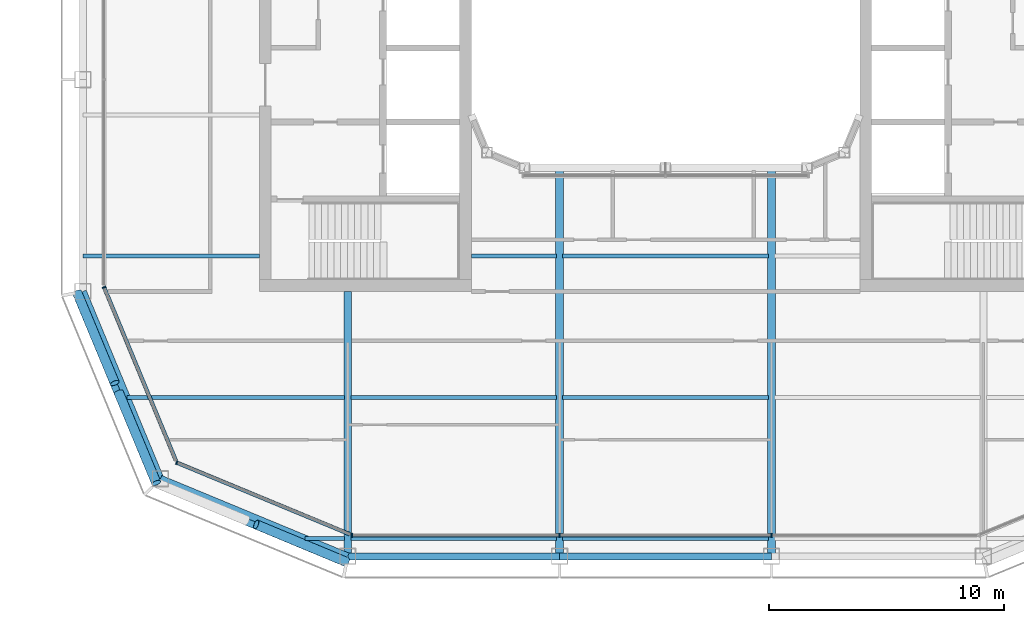
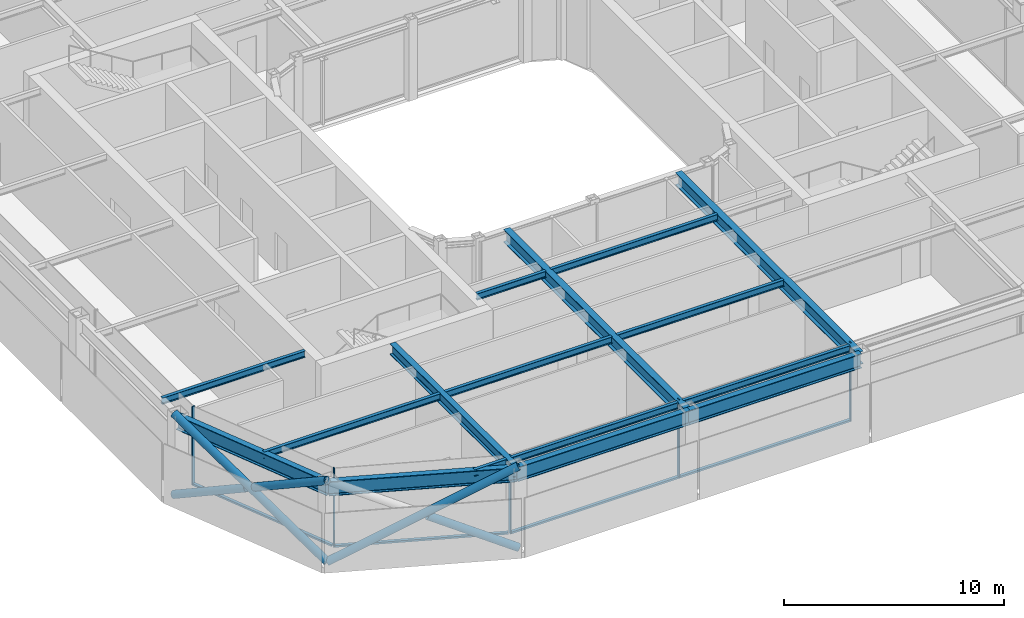
# One storey, part 3 of 22: 16 beams, 14 members, 3 elements without a shape of their own.
"""IFC4 building model written with IfcOpenShell, lengths in metres."""

from ifc_helpers import new_model, si_unit, direction, frame, origin, origin_2d, place, context, subcontext, project, spatial, rectangle, hollow_circle, i_section, extrude, material, layer, layer_set, material_profile, profile_set, type_object, element, aggregate, save


model = new_model("IFC4")

# Units and contexts
model_context = context("Model", 3, precision=1e-05, world=origin(), true_north=direction((0.0, 1.0)))
body_context = subcontext(model_context, "Body", "Model", "MODEL_VIEW")
ifc_project = project(units=[si_unit("LENGTHUNIT", "METRE"), si_unit("AREAUNIT", "SQUARE_METRE"), si_unit("VOLUMEUNIT", "CUBIC_METRE"), si_unit("PLANEANGLEUNIT", "RADIAN"), si_unit("MASSUNIT", "GRAM", prefix="KILO")], contexts=[model_context])

# Site, building, storey
site_placement = place(None, origin())
site = spatial("IfcSite", under=ifc_project, at=site_placement, CompositionType="ELEMENT")
building_placement = place(site_placement, origin())
building = spatial("IfcBuilding", under=site, at=building_placement, Name="Siwar Civic Tower", CompositionType="ELEMENT")
storey_placement = place(building_placement, frame((0.0, 0.0, 330.199951171875)))
storey = spatial("IfcBuildingStorey", under=building, at=storey_placement, Name="L71", CompositionType="ELEMENT", Elevation=330.199951171875)

# Curtain wall, members
ifc_material_1 = material(Name="Aluminium and glass", Category="aluminium")
ifc_layer_1 = layer(ifc_material_1, 0.159912109375)
ifc_layer_set_1 = layer_set([ifc_layer_1], Name="Aluminium and glass")
curtain_wall_type_1 = type_object("IfcCurtainWallType", Name="ENV-CW-D", PredefinedType="NOTDEFINED", material=ifc_layer_set_1)
curtain_wall_1_placement = place(storey_placement, origin())
curtain_wall_1 = element("IfcCurtainWall", 1, at=curtain_wall_1_placement, inside=storey, type_object=curtain_wall_type_1, Name="Curtain wall D S", PredefinedType="NOTDEFINED")
ifc_material_2 = material(Name="Aluminium 6063-T6", Category="aluminium")
ifc_material_profile_1 = material_profile(ifc_material_2, rectangle(XDim=0.159912109375, YDim=0.06005859375, at=origin_2d()), Name="AL 160x60")
ifc_profile_set_1 = profile_set([ifc_material_profile_1], Name="Aluminium 6063-T6")
member_type_1 = type_object("IfcMemberType", Name="ENV-MULLION-D", PredefinedType="MULLION", material=ifc_profile_set_1)
member_1_placement = place(storey_placement, frame((-13.321044921875, -23.85009765625, 0.0), z_axis=(0.0, 0.0, 1.0), x_axis=(0.0, 1.0, 0.0)))
member_1 = element("IfcMember", 2, at=member_1_placement, type_object=member_type_1, Name="Mullion D S 1", PredefinedType="MULLION", context=body_context, shape_type="SweptSolid", body=[
    extrude(rectangle(XDim=0.159912109375, YDim=0.06005859375, at=origin_2d()), origin(), (0.0, 0.0, 1.0), 4.35009765625),
])
member_2_placement = place(storey_placement, frame((-4.5, -23.85009765625, 0.0), z_axis=(0.0, 0.0, 1.0), x_axis=(0.0, 1.0, 0.0)))
member_2 = element("IfcMember", 3, at=member_2_placement, type_object=member_type_1, Name="Mullion D S 2", PredefinedType="MULLION", context=body_context, shape_type="SweptSolid", body=[
    extrude(rectangle(XDim=0.159912109375, YDim=0.06005859375, at=origin_2d()), origin(), (0.0, 0.0, 1.0), 4.35009765625),
])
member_3_placement = place(storey_placement, frame((4.5, -23.85009765625, 0.0), z_axis=(0.0, 0.0, 1.0), x_axis=(0.0, 1.0, 0.0)))
member_3 = element("IfcMember", 4, at=member_3_placement, type_object=member_type_1, Name="Mullion D S 3", PredefinedType="MULLION", context=body_context, shape_type="SweptSolid", body=[
    extrude(rectangle(XDim=0.159912109375, YDim=0.06005859375, at=origin_2d()), origin(), (0.0, 0.0, 1.0), 4.35009765625),
])

# Curtain wall, member
ifc_material_3 = material(Name="Aluminium clad insulated panel", Category="aluminium")
ifc_layer_2 = layer(ifc_material_3, 0.159912109375)
ifc_layer_set_2 = layer_set([ifc_layer_2], Name="Aluminium clad insulated panel")
curtain_wall_type_2 = type_object("IfcCurtainWallType", Name="ENV-CW-DX", PredefinedType="NOTDEFINED", material=ifc_layer_set_2)
curtain_wall_2_placement = place(storey_placement, origin())
curtain_wall_2 = element("IfcCurtainWall", 5, at=curtain_wall_2_placement, inside=storey, type_object=curtain_wall_type_2, Name="Curtain wall D SW1", PredefinedType="NOTDEFINED")
member_4_placement = place(storey_placement, frame((-23.85009765625, -13.321044921875, 0.0), z_axis=(0.0, 0.0, 1.0), x_axis=(0.923879532511, 0.382683432365, 0.0)))
member_4 = element("IfcMember", 6, at=member_4_placement, type_object=member_type_1, Name="Mullion D SW1 1", PredefinedType="MULLION", context=body_context, shape_type="SweptSolid", body=[
    extrude(rectangle(XDim=0.159912109375, YDim=0.06005859375, at=origin_2d()), origin(), (0.0, 0.0, 1.0), 4.35009765625),
])

curtain_wall_3_placement = place(storey_placement, origin())
curtain_wall_3 = element("IfcCurtainWall", 7, at=curtain_wall_3_placement, inside=storey, type_object=curtain_wall_type_2, Name="Curtain wall D SW2", PredefinedType="NOTDEFINED")
member_5_placement = place(storey_placement, frame((-20.76611328125, -20.76611328125, 0.0), z_axis=(0.0, 0.0, 1.0), x_axis=(0.382683432365, 0.923879532511, 0.0)))
member_5 = element("IfcMember", 8, at=member_5_placement, type_object=member_type_1, Name="Mullion D SW2 1", PredefinedType="MULLION", context=body_context, shape_type="SweptSolid", body=[
    extrude(rectangle(XDim=0.159912109375, YDim=0.06005859375, at=origin_2d()), origin(), (0.0, 0.0, 1.0), 4.35009765625),
])

# Member
ifc_material_4 = material(Name="Aluminium 6063-T6", Category="aluminium")
ifc_material_profile_2 = material_profile(ifc_material_4, rectangle(XDim=0.159912109375, YDim=0.10009765625, at=origin_2d()), Name="AL 160x100")
ifc_profile_set_2 = profile_set([ifc_material_profile_2], Name="Aluminium 6063-T6")
member_type_2 = type_object("IfcMemberType", Name="ENV-TRANSOM-D", PredefinedType="USERDEFINED", material=ifc_profile_set_2)
member_6_placement = place(storey_placement, frame((-13.291015625, -23.85009765625, 0.050048828125), z_axis=(1.0, 0.0, 0.0), x_axis=(0.0, 1.0, 0.0)))
member_6 = element("IfcMember", 9, at=member_6_placement, type_object=member_type_2, Name="Transom D S 1", ObjectType="TRANSOM", PredefinedType="USERDEFINED", context=body_context, shape_type="SweptSolid", body=[
    extrude(rectangle(XDim=0.159912109375, YDim=0.10009765625, at=origin_2d()), origin(), (0.0, 0.0, 1.0), 8.760986328125),
])

member_7_placement = place(storey_placement, frame((-4.469970703125, -23.85009765625, 0.050048828125), z_axis=(1.0, 0.0, 0.0), x_axis=(0.0, 1.0, 0.0)))
member_7 = element("IfcMember", 10, at=member_7_placement, type_object=member_type_2, Name="Transom D S 2", ObjectType="TRANSOM", PredefinedType="USERDEFINED", context=body_context, shape_type="SweptSolid", body=[
    extrude(rectangle(XDim=0.159912109375, YDim=0.10009765625, at=origin_2d()), origin(), (0.0, 0.0, 1.0), 8.93994140625),
])

aggregate(curtain_wall_1, [member_1, member_2, member_3, member_6, member_7])

member_8_placement = place(storey_placement, frame((-23.838623046875, -13.3486328125, 0.050048828125), z_axis=(0.382699790424, -0.923872756612, 0.0), x_axis=(0.923872756612, 0.382699790424, 0.0)))
member_8 = element("IfcMember", 11, at=member_8_placement, type_object=member_type_2, Name="Transom D SW1 1", ObjectType="TRANSOM", PredefinedType="USERDEFINED", context=body_context, shape_type="SweptSolid", body=[
    extrude(rectangle(XDim=0.159912109375, YDim=0.10009765625, at=origin_2d()), origin(), (0.0, 0.0, 1.0), 7.930908203125),
])

aggregate(curtain_wall_2, [member_4, member_8])

member_9_placement = place(storey_placement, frame((-20.738525390625, -20.777587890625, 0.050048828125), z_axis=(0.923883640343, -0.382673515031, 0.0), x_axis=(0.382673515031, 0.923883640343, 0.0)))
member_9 = element("IfcMember", 12, at=member_9_placement, type_object=member_type_2, Name="Transom D SW2 1", ObjectType="TRANSOM", PredefinedType="USERDEFINED", context=body_context, shape_type="SweptSolid", body=[
    extrude(rectangle(XDim=0.159912109375, YDim=0.10009765625, at=origin_2d()), origin(), (0.0, 0.0, 1.0), 7.930908203125),
])

aggregate(curtain_wall_3, [member_5, member_9])

# Members
ifc_material_5 = material(Name="Steel S355", Category="steel")
ifc_material_profile_3 = material_profile(ifc_material_5, hollow_circle(Radius=0.203125, WallThickness=0.01611328125, at=origin_2d()), Name="CHS406.4x16")
ifc_profile_set_3 = profile_set([ifc_material_profile_3], Name="Steel S355")
member_type_3 = type_object("IfcMemberType", Name="STR-BR-CHS406.4x16", PredefinedType="BRACE", material=ifc_profile_set_3)
member_10_placement = place(storey_placement, frame((-21.6318359375, -21.6318359375, 0.0), z_axis=(0.821142553604, -0.341671493852, 0.457149315816), x_axis=(0.384163874976, 0.923264922524, 0.0)))
element("IfcMember", 13, at=member_10_placement, inside=storey, type_object=member_type_3, Name="L71/brc/DSW1-10-0-1", PredefinedType="BRACE", context=body_context, shape_type="SweptSolid", body=[
    extrude(hollow_circle(Radius=0.203125, WallThickness=0.01611328125, at=origin_2d()), origin(), (0.0, 0.0, 1.0), 9.843505859375),
])
member_11_placement = place(storey_placement, frame((-13.548828125, -24.9951171875, 0.0), z_axis=(-0.821130093572, 0.341659024948, 0.45718101459), x_axis=(-0.384156893273, -0.923267827529, 0.0)))
element("IfcMember", 14, at=member_11_placement, inside=storey, type_object=member_type_3, Name="L71/brc/DSW1-10-0-2", PredefinedType="BRACE", context=body_context, shape_type="SweptSolid", body=[
    extrude(hollow_circle(Radius=0.203125, WallThickness=0.01611328125, at=origin_2d()), origin(), (0.0, 0.0, 1.0), 4.677001953125),
])
member_12_placement = place(storey_placement, frame((-21.6318359375, -21.6318359375, 0.0), z_axis=(-0.341671493852, 0.821142553604, 0.457149315816), x_axis=(-0.923264922524, -0.384163874976, 0.0)))
element("IfcMember", 15, at=member_12_placement, inside=storey, type_object=member_type_3, Name="L71/brc/DSW1-10-0-0", PredefinedType="BRACE", context=body_context, shape_type="SweptSolid", body=[
    extrude(hollow_circle(Radius=0.203125, WallThickness=0.01611328125, at=origin_2d()), origin(), (0.0, 0.0, 1.0), 9.843505859375),
])
for number, where, z_axis, x_axis, name in (
    (16, (-24.9951171875, -13.548828125, 0.0), (0.341659024948, -0.821130093572, 0.45718101459), (0.923267827529, 0.384156893273, 0.0), "L71/brc/DSW1-10-0-4"),
    (17, (-23.229736328125, -17.791259765625, 2.362060546875), (0.341652533125, -0.821166691915, 0.457120127208), (0.923276488787, 0.38413607648, 0.0), "L71/brc/DSW1-10-0-5"),
):
    element("IfcMember", number, at=place(storey_placement, frame(where, z_axis=z_axis, x_axis=x_axis)), inside=storey, type_object=member_type_3, Name=name, PredefinedType="BRACE", context=body_context, shape_type="SweptSolid", body=[
        extrude(hollow_circle(Radius=0.203125, WallThickness=0.01611328125, at=origin_2d()), origin(), (0.0, 0.0, 1.0), 4.677001953125),
    ])

# Beams
ifc_material_6 = material(Name="Steel S355", Category="steel")
ifc_material_profile_4 = material_profile(ifc_material_6, i_section(OverallWidth=0.169921875, OverallDepth=0.360107421875, WebThickness=0.008056640625, FlangeThickness=0.0126953125, FilletRadius=0.01806640625, at=origin_2d()), Name="IPE360")
ifc_profile_set_4 = profile_set([ifc_material_profile_4], Name="Steel S355")
beam_type_1 = type_object("IfcBeamType", Name="STR-FB-IPE360", PredefinedType="JOIST", material=ifc_profile_set_4)
beam_1_placement = place(storey_placement, frame((-15.310546875, -24.0, 4.170166015625), z_axis=(1.0, 0.0, 0.0), x_axis=(0.0, 1.0, 0.0)))
element("IfcBeam", 18, at=beam_1_placement, inside=storey, type_object=beam_type_1, Name="L71/bm/F001", PredefinedType="JOIST", context=body_context, shape_type="SweptSolid", body=[
    extrude(i_section(OverallWidth=0.169921875, OverallDepth=0.360107421875, WebThickness=0.008056640625, FlangeThickness=0.0126953125, FilletRadius=0.01806640625, at=origin_2d()), origin(), (0.0, 0.0, 1.0), 1.6806640625),
])
for number, where, z_axis, x_axis, name in (
    (19, (-13.3701171875, -24.0, 4.170166015625), (1.0, 0.0, 0.0), (0.0, 1.0, 0.0), "L71/bm/F002"),
    (20, (-4.3701171875, -24.0, 4.170166015625), (1.0, 0.0, 0.0), (0.0, 1.0, 0.0), "L71/bm/F003"),
):
    element("IfcBeam", number, at=place(storey_placement, frame(where, z_axis=z_axis, x_axis=x_axis)), inside=storey, type_object=beam_type_1, Name=name, PredefinedType="JOIST", context=body_context, shape_type="SweptSolid", body=[
        extrude(i_section(OverallWidth=0.169921875, OverallDepth=0.360107421875, WebThickness=0.008056640625, FlangeThickness=0.0126953125, FilletRadius=0.01806640625, at=origin_2d()), origin(), (0.0, 0.0, 1.0), 8.740234375),
    ])
beam_2_placement = place(storey_placement, frame((-22.885986328125, -18.0, 4.170166015625), z_axis=(1.0, 0.0, 0.0), x_axis=(0.0, 1.0, 0.0)))
element("IfcBeam", 21, at=beam_2_placement, inside=storey, type_object=beam_type_1, Name="L71/bm/F006", PredefinedType="JOIST", context=body_context, shape_type="SweptSolid", body=[
    extrude(i_section(OverallWidth=0.169921875, OverallDepth=0.360107421875, WebThickness=0.008056640625, FlangeThickness=0.0126953125, FilletRadius=0.01806640625, at=origin_2d()), origin(), (0.0, 0.0, 1.0), 9.256103515625),
])
for number, where, z_axis, x_axis, name in (
    (22, (-13.3701171875, -18.0, 4.170166015625), (1.0, 0.0, 0.0), (0.0, 1.0, 0.0), "L71/bm/F007"),
    (23, (-4.3701171875, -18.0, 4.170166015625), (1.0, 0.0, 0.0), (0.0, 1.0, 0.0), "L71/bm/F008"),
):
    element("IfcBeam", number, at=place(storey_placement, frame(where, z_axis=z_axis, x_axis=x_axis)), inside=storey, type_object=beam_type_1, Name=name, PredefinedType="JOIST", context=body_context, shape_type="SweptSolid", body=[
        extrude(i_section(OverallWidth=0.169921875, OverallDepth=0.360107421875, WebThickness=0.008056640625, FlangeThickness=0.0126953125, FilletRadius=0.01806640625, at=origin_2d()), origin(), (0.0, 0.0, 1.0), 8.740234375),
    ])
beam_3_placement = place(storey_placement, frame((-24.75, -12.0, 4.170166015625), z_axis=(1.0, 0.0, 0.0), x_axis=(0.0, 1.0, 0.0)))
element("IfcBeam", 24, at=beam_3_placement, inside=storey, type_object=beam_type_1, Name="L71/bm/F011", PredefinedType="JOIST", context=body_context, shape_type="SweptSolid", body=[
    extrude(i_section(OverallWidth=0.169921875, OverallDepth=0.360107421875, WebThickness=0.008056640625, FlangeThickness=0.0126953125, FilletRadius=0.01806640625, at=origin_2d()), origin(), (0.0, 0.0, 1.0), 7.5),
])
beam_4_placement = place(storey_placement, frame((-8.25, -12.0, 4.170166015625), z_axis=(1.0, 0.0, 0.0), x_axis=(0.0, 1.0, 0.0)))
element("IfcBeam", 25, at=beam_4_placement, inside=storey, type_object=beam_type_1, Name="L71/bm/F012", PredefinedType="JOIST", context=body_context, shape_type="SweptSolid", body=[
    extrude(i_section(OverallWidth=0.169921875, OverallDepth=0.360107421875, WebThickness=0.008056640625, FlangeThickness=0.0126953125, FilletRadius=0.01806640625, at=origin_2d()), origin(), (0.0, 0.0, 1.0), 3.6201171875),
])
beam_5_placement = place(storey_placement, frame((-4.3701171875, -12.0, 4.170166015625), z_axis=(1.0, 0.0, 0.0), x_axis=(0.0, 1.0, 0.0)))
element("IfcBeam", 26, at=beam_5_placement, inside=storey, type_object=beam_type_1, Name="L71/bm/F013", PredefinedType="JOIST", context=body_context, shape_type="SweptSolid", body=[
    extrude(i_section(OverallWidth=0.169921875, OverallDepth=0.360107421875, WebThickness=0.008056640625, FlangeThickness=0.0126953125, FilletRadius=0.01806640625, at=origin_2d()), origin(), (0.0, 0.0, 1.0), 8.740234375),
])
ifc_material_7 = material(Name="Steel S355", Category="steel")
ifc_material_profile_5 = material_profile(ifc_material_7, i_section(OverallWidth=0.300048828125, OverallDepth=0.60009765625, WebThickness=0.015380859375, FlangeThickness=0.030029296875, FilletRadius=0.027099609375, at=origin_2d()), Name="HEB600")
ifc_profile_set_5 = profile_set([ifc_material_profile_5], Name="Steel S355")
beam_type_2 = type_object("IfcBeamType", Name="STR-PG-HEB600", PredefinedType="BEAM", material=ifc_profile_set_5)
beam_6_placement = place(storey_placement, frame((-13.5, -24.75, 4.050048828125), z_axis=(0.0, 1.0, 0.0), x_axis=(-1.0, 0.0, 0.0)))
element("IfcBeam", 27, at=beam_6_placement, inside=storey, type_object=beam_type_2, Name="L71/bm/G01", PredefinedType="BEAM", context=body_context, shape_type="SweptSolid", body=[
    extrude(i_section(OverallWidth=0.300048828125, OverallDepth=0.60009765625, WebThickness=0.015380859375, FlangeThickness=0.030029296875, FilletRadius=0.027099609375, at=origin_2d()), origin(), (0.0, 0.0, 1.0), 11.25),
])
ifc_material_8 = material(Name="Steel S355", Category="steel")
ifc_material_profile_6 = material_profile(ifc_material_8, i_section(OverallWidth=0.340087890625, OverallDepth=0.699951171875, WebThickness=0.013916015625, FlangeThickness=0.030029296875, at=origin_2d()), Name="PG700x340x14x30")
ifc_profile_set_6 = profile_set([ifc_material_profile_6], Name="Steel S355")
beam_type_3 = type_object("IfcBeamType", Name="STR-PG-PG700x340x14x30", PredefinedType="BEAM", material=ifc_profile_set_6)
for number, where, z_axis, x_axis, name in (
    (28, (-4.5, -24.75, 4.0), (0.0, 1.0, 0.0), (-1.0, 0.0, 0.0), "L71/bm/G03"),
    (29, (4.5, -24.75, 4.0), (0.0, 1.0, 0.0), (-1.0, 0.0, 0.0), "L71/bm/G05"),
):
    element("IfcBeam", number, at=place(storey_placement, frame(where, z_axis=z_axis, x_axis=x_axis)), inside=storey, type_object=beam_type_3, Name=name, PredefinedType="BEAM", context=body_context, shape_type="SweptSolid", body=[
        extrude(i_section(OverallWidth=0.340087890625, OverallDepth=0.699951171875, WebThickness=0.013916015625, FlangeThickness=0.030029296875, at=origin_2d()), origin(), (0.0, 0.0, 1.0), 16.5),
    ])
ifc_material_9 = material(Name="Steel S355", Category="steel")
ifc_material_profile_7 = material_profile(ifc_material_9, i_section(OverallWidth=0.300048828125, OverallDepth=0.800048828125, WebThickness=0.017578125, FlangeThickness=0.032958984375, FilletRadius=0.030029296875, at=origin_2d()), Name="HEB800")
ifc_profile_set_7 = profile_set([ifc_material_profile_7], Name="Steel S355")
beam_type_4 = type_object("IfcBeamType", Name="STR-SB-HEB800", PredefinedType="BEAM", material=ifc_profile_set_7)
for number, where, z_axis, x_axis, name in (
    (30, (-13.5, -24.75, 3.949951171875), (1.0, 0.0, 0.0), (0.0, 1.0, 0.0), "L71/bm/SS-0"),
    (31, (-4.5, -24.75, 3.949951171875), (1.0, 0.0, 0.0), (0.0, 1.0, 0.0), "L71/bm/SS-1"),
):
    element("IfcBeam", number, at=place(storey_placement, frame(where, z_axis=z_axis, x_axis=x_axis)), inside=storey, type_object=beam_type_4, Name=name, PredefinedType="BEAM", context=body_context, shape_type="SweptSolid", body=[
        extrude(i_section(OverallWidth=0.300048828125, OverallDepth=0.800048828125, WebThickness=0.017578125, FlangeThickness=0.032958984375, FilletRadius=0.030029296875, at=origin_2d()), origin(), (0.0, 0.0, 1.0), 9.0),
    ])
for number, where, z_axis, x_axis, name in (
    (32, (-24.75, -13.5, 3.949951171875), (0.382699877515, -0.923872720536, 0.0), (0.923872720536, 0.382699877515, 0.0), "L71/bm/SSW1-0"),
    (33, (-21.454833984375, -21.454833984375, 3.949951171875), (0.923872720536, -0.382699877515, 0.0), (0.382699877515, 0.923872720536, 0.0), "L71/bm/SSW2-0"),
):
    element("IfcBeam", number, at=place(storey_placement, frame(where, z_axis=z_axis, x_axis=x_axis)), inside=storey, type_object=beam_type_4, Name=name, PredefinedType="BEAM", context=body_context, shape_type="SweptSolid", body=[
        extrude(i_section(OverallWidth=0.300048828125, OverallDepth=0.800048828125, WebThickness=0.017578125, FlangeThickness=0.032958984375, FilletRadius=0.030029296875, at=origin_2d()), origin(), (0.0, 0.0, 1.0), 8.6103515625),
    ])

save(model, "model.ifc")
